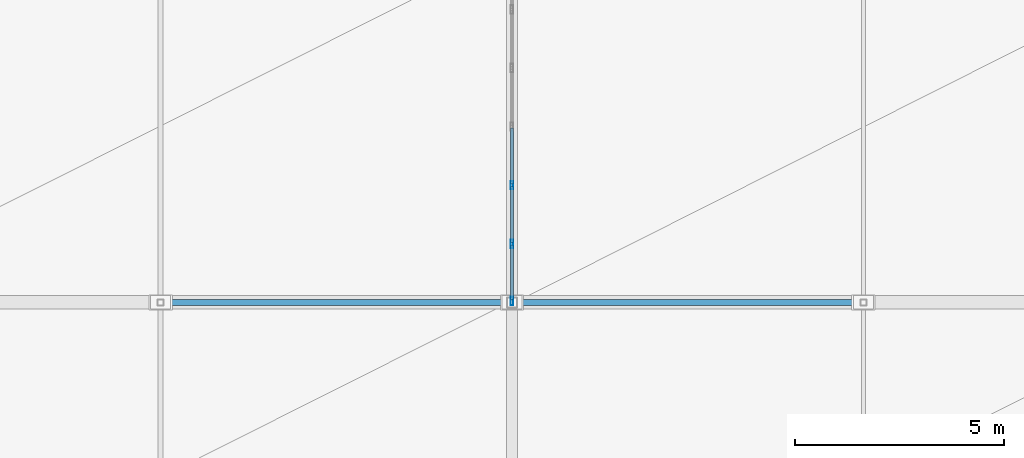
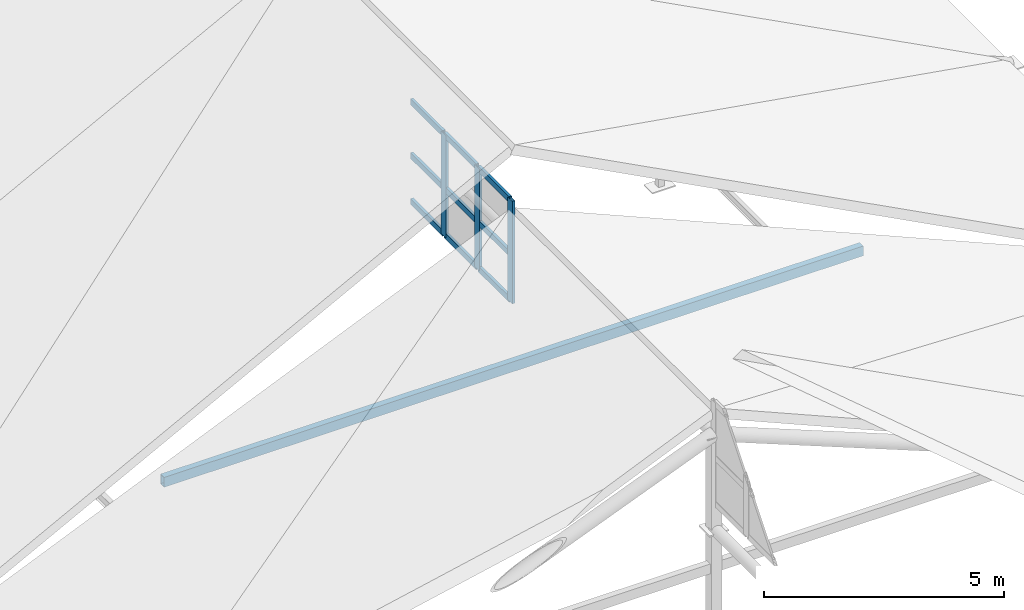
# One storey, part 17 of 76: 13 members, 1 element without a shape of its own.
"""IFC4 building model written with IfcOpenShell, lengths in metres."""

from ifc_helpers import new_model, si_unit, direction, frame, origin, origin_2d, place, context, subcontext, project, spatial, hollow_rectangle, extrude, material, layer, layer_set, material_profile, profile_set, type_object, element, aggregate, save


model = new_model("IFC4")

# Units and contexts
model_context = context("Model", 3, precision=1e-05, world=origin(), true_north=direction((0.0, 1.0)))
body_context = subcontext(model_context, "Body", "Model", "MODEL_VIEW")
ifc_project = project(units=[si_unit("LENGTHUNIT", "METRE"), si_unit("AREAUNIT", "SQUARE_METRE"), si_unit("VOLUMEUNIT", "CUBIC_METRE"), si_unit("PLANEANGLEUNIT", "RADIAN"), si_unit("MASSUNIT", "GRAM", prefix="KILO")], contexts=[model_context])

# Site, building, storey
site_placement = place(None, origin())
site = spatial("IfcSite", under=ifc_project, at=site_placement, CompositionType="ELEMENT")
building_placement = place(site_placement, origin())
building = spatial("IfcBuilding", under=site, at=building_placement, Name="Krzemoval Escarpment Law Courts", CompositionType="ELEMENT")
storey_placement = place(building_placement, frame((0.0, 0.0, 20.39990234375)))
storey = spatial("IfcBuildingStorey", under=building, at=storey_placement, Name="L04", CompositionType="ELEMENT", Elevation=20.39990234375)

# Curtain wall, members
ifc_material_1 = material(Name="Aluminium 6063-T6", Category="aluminium")
ifc_layer = layer(ifc_material_1, 0.199951171875)
ifc_layer_set = layer_set([ifc_layer], Name="Aluminium 6063-T6")
curtain_wall_type = type_object("IfcCurtainWallType", Name="CW-CLER-2800", PredefinedType="USERDEFINED", material=ifc_layer_set)
curtain_wall_placement = place(storey_placement, origin())
curtain_wall = element("IfcCurtainWall", 1, at=curtain_wall_placement, inside=storey, type_object=curtain_wall_type, Name="Clerestory Curtain Wall CW-CLER-V4-02", ObjectType="UNITISED_CURTAIN_WALL", PredefinedType="USERDEFINED")
ifc_material_2 = material(Name="Aluminium 6063-T6", Category="aluminium")
ifc_material_profile_1 = material_profile(ifc_material_2, hollow_rectangle(XDim=0.06494140625, YDim=0.199951171875, WallThickness=0.00439453125, at=origin_2d()), Name="ALU M65x200")
ifc_profile_set_1 = profile_set([ifc_material_profile_1], Name="Aluminium 6063-T6")
member_type_1 = type_object("IfcMemberType", Name="CWM-65x200", PredefinedType="MULLION", material=ifc_profile_set_1)
member_1_placement = place(storey_placement, frame((25.199951171875, 57.632568359375, 4.800048828125), z_axis=(0.0, 0.0, 1.0), x_axis=(-1.0, 0.0, 0.0)))
member_1 = element("IfcMember", 2, at=member_1_placement, type_object=member_type_1, Name="CW-CLER-V4-02 mullion 1", PredefinedType="MULLION", context=body_context, shape_type="SweptSolid", body=[
    extrude(hollow_rectangle(XDim=0.06494140625, YDim=0.199951171875, WallThickness=0.00439453125, at=origin_2d()), origin(), (0.0, 0.0, 1.0), 2.60009765625),
])
member_2_placement = place(storey_placement, frame((25.199951171875, 59.0, 4.800048828125), z_axis=(0.0, 0.0, 1.0), x_axis=(-1.0, 0.0, 0.0)))
member_2 = element("IfcMember", 3, at=member_2_placement, type_object=member_type_1, Name="CW-CLER-V4-02 mullion 2", PredefinedType="MULLION", context=body_context, shape_type="SweptSolid", body=[
    extrude(hollow_rectangle(XDim=0.06494140625, YDim=0.199951171875, WallThickness=0.00439453125, at=origin_2d()), origin(), (0.0, 0.0, 1.0), 2.60009765625),
])
member_3_placement = place(storey_placement, frame((25.199951171875, 60.39990234375, 4.800048828125), z_axis=(0.0, 0.0, 1.0), x_axis=(-1.0, 0.0, 0.0)))
member_3 = element("IfcMember", 4, at=member_3_placement, type_object=member_type_1, Name="CW-CLER-V4-02 mullion 3", PredefinedType="MULLION", context=body_context, shape_type="SweptSolid", body=[
    extrude(hollow_rectangle(XDim=0.06494140625, YDim=0.199951171875, WallThickness=0.00439453125, at=origin_2d()), origin(), (0.0, 0.0, 1.0), 2.60009765625),
])
ifc_material_3 = material(Name="Aluminium 6063-T6", Category="aluminium")
ifc_material_profile_2 = material_profile(ifc_material_3, hollow_rectangle(XDim=0.06494140625, YDim=0.14990234375, WallThickness=0.00439453125, at=origin_2d()), Name="ALU T65x150")
ifc_profile_set_2 = profile_set([ifc_material_profile_2], Name="Aluminium 6063-T6")
member_type_2 = type_object("IfcMemberType", Name="CWT-65x150", PredefinedType="USERDEFINED", material=ifc_profile_set_2)
member_4_placement = place(storey_placement, frame((25.199951171875, 57.6650390625, 4.83251953125), z_axis=(0.0, 1.0, 0.0), x_axis=(-1.0, 0.0, 0.0)))
member_4 = element("IfcMember", 5, at=member_4_placement, type_object=member_type_2, Name="CW-CLER-V4-02 transom 1.1", ObjectType="TRANSOM", PredefinedType="USERDEFINED", context=body_context, shape_type="SweptSolid", body=[
    extrude(hollow_rectangle(XDim=0.06494140625, YDim=0.14990234375, WallThickness=0.00439453125, at=origin_2d()), origin(), (0.0, 0.0, 1.0), 1.302490234375),
])
member_5_placement = place(storey_placement, frame((25.199951171875, 57.6650390625, 6.0), z_axis=(0.0, 1.0, 0.0), x_axis=(-1.0, 0.0, 0.0)))
member_5 = element("IfcMember", 6, at=member_5_placement, type_object=member_type_2, Name="CW-CLER-V4-02 transom 1.2", ObjectType="TRANSOM", PredefinedType="USERDEFINED", context=body_context, shape_type="SweptSolid", body=[
    extrude(hollow_rectangle(XDim=0.06494140625, YDim=0.14990234375, WallThickness=0.00439453125, at=origin_2d()), origin(), (0.0, 0.0, 1.0), 1.302490234375),
])
member_6_placement = place(storey_placement, frame((25.199951171875, 57.6650390625, 7.36767578125), z_axis=(0.0, 1.0, 0.0), x_axis=(-1.0, 0.0, 0.0)))
member_6 = element("IfcMember", 7, at=member_6_placement, type_object=member_type_2, Name="CW-CLER-V4-02 transom 1.3", ObjectType="TRANSOM", PredefinedType="USERDEFINED", context=body_context, shape_type="SweptSolid", body=[
    extrude(hollow_rectangle(XDim=0.06494140625, YDim=0.14990234375, WallThickness=0.00439453125, at=origin_2d()), origin(), (0.0, 0.0, 1.0), 1.302490234375),
])
member_7_placement = place(storey_placement, frame((25.199951171875, 59.032470703125, 4.83251953125), z_axis=(0.0, 1.0, 0.0), x_axis=(-1.0, 0.0, 0.0)))
member_7 = element("IfcMember", 8, at=member_7_placement, type_object=member_type_2, Name="CW-CLER-V4-02 transom 2.1", ObjectType="TRANSOM", PredefinedType="USERDEFINED", context=body_context, shape_type="SweptSolid", body=[
    extrude(hollow_rectangle(XDim=0.06494140625, YDim=0.14990234375, WallThickness=0.00439453125, at=origin_2d()), origin(), (0.0, 0.0, 1.0), 1.3349609375),
])
member_8_placement = place(storey_placement, frame((25.199951171875, 59.032470703125, 6.0), z_axis=(0.0, 1.0, 0.0), x_axis=(-1.0, 0.0, 0.0)))
member_8 = element("IfcMember", 9, at=member_8_placement, type_object=member_type_2, Name="CW-CLER-V4-02 transom 2.2", ObjectType="TRANSOM", PredefinedType="USERDEFINED", context=body_context, shape_type="SweptSolid", body=[
    extrude(hollow_rectangle(XDim=0.06494140625, YDim=0.14990234375, WallThickness=0.00439453125, at=origin_2d()), origin(), (0.0, 0.0, 1.0), 1.3349609375),
])
member_9_placement = place(storey_placement, frame((25.199951171875, 59.032470703125, 7.36767578125), z_axis=(0.0, 1.0, 0.0), x_axis=(-1.0, 0.0, 0.0)))
member_9 = element("IfcMember", 10, at=member_9_placement, type_object=member_type_2, Name="CW-CLER-V4-02 transom 2.3", ObjectType="TRANSOM", PredefinedType="USERDEFINED", context=body_context, shape_type="SweptSolid", body=[
    extrude(hollow_rectangle(XDim=0.06494140625, YDim=0.14990234375, WallThickness=0.00439453125, at=origin_2d()), origin(), (0.0, 0.0, 1.0), 1.3349609375),
])
member_10_placement = place(storey_placement, frame((25.199951171875, 60.4326171875, 4.83251953125), z_axis=(0.0, 1.0, 0.0), x_axis=(-1.0, 0.0, 0.0)))
member_10 = element("IfcMember", 11, at=member_10_placement, type_object=member_type_2, Name="CW-CLER-V4-02 transom 3.1", ObjectType="TRANSOM", PredefinedType="USERDEFINED", context=body_context, shape_type="SweptSolid", body=[
    extrude(hollow_rectangle(XDim=0.06494140625, YDim=0.14990234375, WallThickness=0.00439453125, at=origin_2d()), origin(), (0.0, 0.0, 1.0), 1.3349609375),
])
member_11_placement = place(storey_placement, frame((25.199951171875, 60.4326171875, 6.0), z_axis=(0.0, 1.0, 0.0), x_axis=(-1.0, 0.0, 0.0)))
member_11 = element("IfcMember", 12, at=member_11_placement, type_object=member_type_2, Name="CW-CLER-V4-02 transom 3.2", ObjectType="TRANSOM", PredefinedType="USERDEFINED", context=body_context, shape_type="SweptSolid", body=[
    extrude(hollow_rectangle(XDim=0.06494140625, YDim=0.14990234375, WallThickness=0.00439453125, at=origin_2d()), origin(), (0.0, 0.0, 1.0), 1.3349609375),
])
member_12_placement = place(storey_placement, frame((25.199951171875, 60.4326171875, 7.36767578125), z_axis=(0.0, 1.0, 0.0), x_axis=(-1.0, 0.0, 0.0)))
member_12 = element("IfcMember", 13, at=member_12_placement, type_object=member_type_2, Name="CW-CLER-V4-02 transom 3.3", ObjectType="TRANSOM", PredefinedType="USERDEFINED", context=body_context, shape_type="SweptSolid", body=[
    extrude(hollow_rectangle(XDim=0.06494140625, YDim=0.14990234375, WallThickness=0.00439453125, at=origin_2d()), origin(), (0.0, 0.0, 1.0), 1.3349609375),
])
aggregate(curtain_wall, [member_1, member_2, member_3, member_4, member_5, member_6, member_7, member_8, member_9, member_10, member_11, member_12])

# Member
ifc_material_4 = material(Name="Steel S355", Category="steel")
ifc_material_profile_3 = material_profile(ifc_material_4, hollow_rectangle(XDim=0.14990234375, YDim=0.25, WallThickness=0.010009765625, at=origin_2d()), Name="RHS 250x150x10")
ifc_profile_set_3 = profile_set([ifc_material_profile_3], Name="Steel S355")
member_type_3 = type_object("IfcMemberType", Name="MBR-COL-RHS250", PredefinedType="COLLAR", material=ifc_profile_set_3)
member_13_placement = place(storey_placement, frame((16.800048828125, 57.60009765625, 3.2001953125), z_axis=(1.0, 0.0, 0.0), x_axis=(0.0, 1.0, 0.0)))
element("IfcMember", 14, at=member_13_placement, inside=storey, type_object=member_type_3, Name="Roof Collar Tie CL-0024", PredefinedType="COLLAR", context=body_context, shape_type="SweptSolid", body=[
    extrude(hollow_rectangle(XDim=0.14990234375, YDim=0.25, WallThickness=0.010009765625, at=origin_2d()), origin(), (0.0, 0.0, 1.0), 16.800048828125),
])

save(model, "model.ifc")
